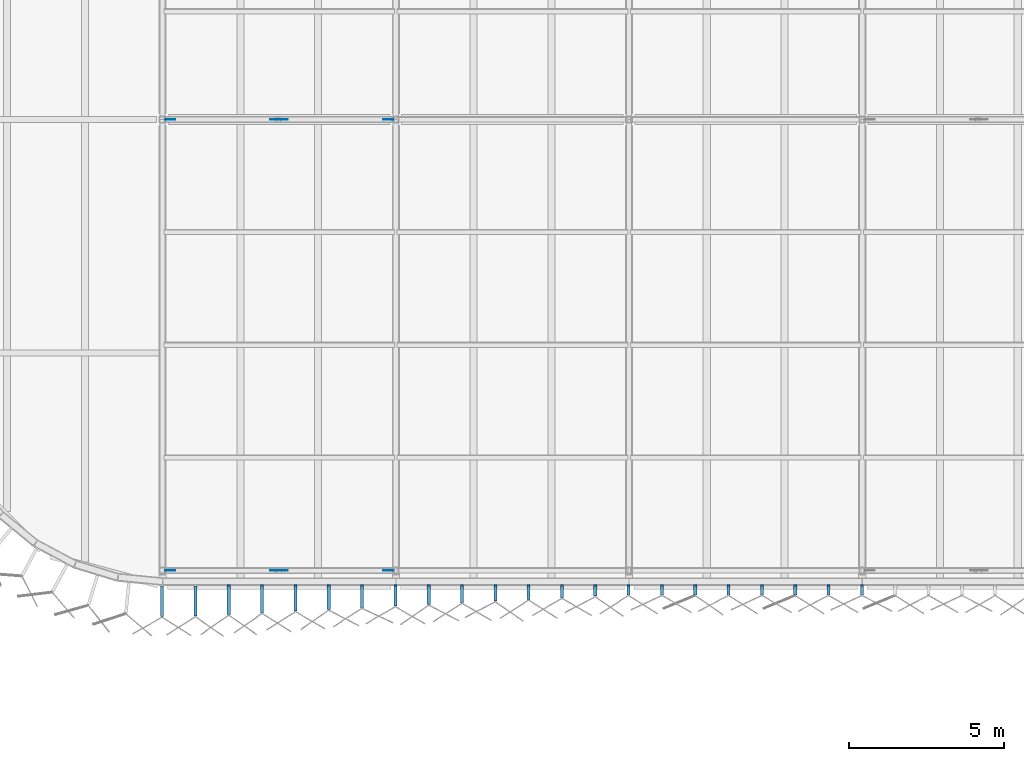
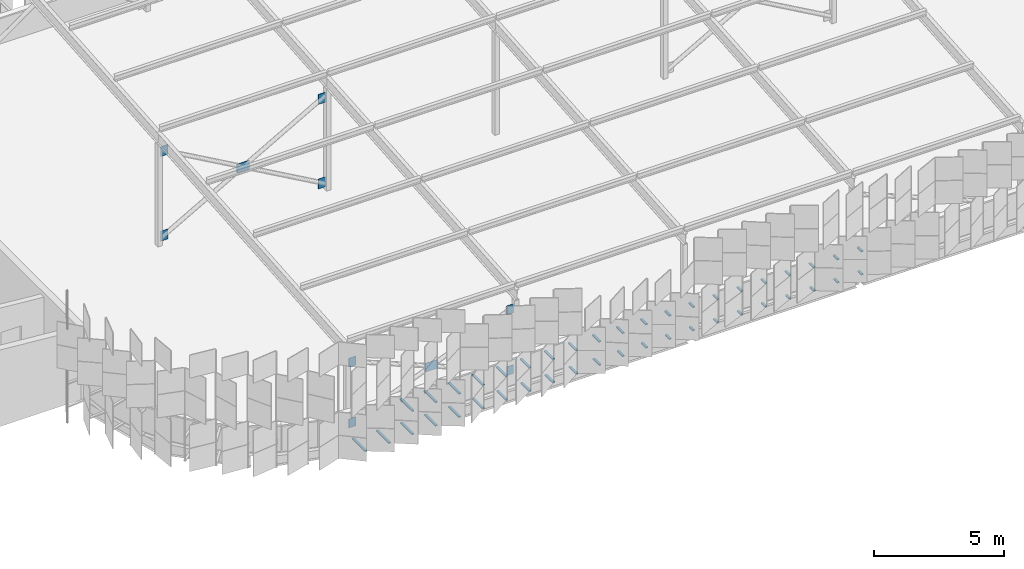
# One storey, part 435 of 483: 52 discrete accessories.
"""IFC4 building model written with IfcOpenShell, lengths in metres."""

from ifc_helpers import new_model, si_unit, direction, frame, origin, origin_2d, place, context, subcontext, project, spatial, polyline, rectangle, outline, extrude, material, layer, layer_set, type_object, element, save


model = new_model("IFC4")

# Units and contexts
model_context = context("Model", 3, precision=1e-05, world=origin(), true_north=direction((0.0, 1.0)))
body_context = subcontext(model_context, "Body", "Model", "MODEL_VIEW")
ifc_project = project(units=[si_unit("LENGTHUNIT", "METRE"), si_unit("AREAUNIT", "SQUARE_METRE"), si_unit("VOLUMEUNIT", "CUBIC_METRE"), si_unit("PLANEANGLEUNIT", "RADIAN"), si_unit("MASSUNIT", "GRAM", prefix="KILO")], contexts=[model_context])

# Site, building, storey
site_placement = place(None, origin())
site = spatial("IfcSite", under=ifc_project, at=site_placement, CompositionType="ELEMENT")
building_placement = place(site_placement, origin())
building = spatial("IfcBuilding", under=site, at=building_placement, Name="Parallax Yard Mobility Hub", CompositionType="ELEMENT")
storey_placement = place(building_placement, frame((0.0, 0.0, 13.199951171875)))
storey = spatial("IfcBuildingStorey", under=building, at=storey_placement, Name="L04", CompositionType="ELEMENT", Elevation=13.199951171875)

# Discrete accessories
ifc_material_1 = material(Name="Steel ASTM A36", Category="steel")
ifc_layer = layer(ifc_material_1, 0.011962890625)
ifc_layer_set = layer_set([ifc_layer], Name="Gusset plate PL12")
discrete_accessory_type_1 = type_object("IfcDiscreteAccessoryType", Name="Gusset plate PL12", PredefinedType="BRACKET", material=ifc_layer_set)
discrete_accessory_1_placement = place(storey_placement, frame((0.0, 0.0, 0.150146484375)))
element("IfcDiscreteAccessory", 1, at=discrete_accessory_1_placement, inside=storey, type_object=discrete_accessory_type_1, Name="Gusset plate PL12 RA bay N-A bay 1 foot on post N-A1", PredefinedType="BRACKET", context=body_context, shape_type="SweptSolid", body=[
    extrude(outline(polyline([(30.08154296875, 112.993896484375), (30.401611328125, 112.993896484375), (30.401611328125, 113.006103515625), (30.08154296875, 113.006103515625), (30.08154296875, 112.993896484375)])), origin(), (0.0, 0.0, 1.0), 0.42236328125),
])
for number, where, name in (
    (2, (0.0, 0.0, 3.017578125), "Gusset plate PL12 RA bay N-A bay 1 head on post N-A2"),
    (3, (0.0, 0.0, 0.150146484375), "Gusset plate PL12 RA bay N-A bay 1 foot on post N-A2"),
):
    element("IfcDiscreteAccessory", number, at=place(storey_placement, frame(where)), inside=storey, type_object=discrete_accessory_type_1, Name=name, PredefinedType="BRACKET", context=body_context, shape_type="SweptSolid", body=[
        extrude(outline(polyline([(37.41845703125, 113.006103515625), (37.098388671875, 113.006103515625), (37.098388671875, 112.993896484375), (37.41845703125, 112.993896484375), (37.41845703125, 113.006103515625)])), origin(), (0.0, 0.0, 1.0), 0.42236328125),
    ])
discrete_accessory_2_placement = place(storey_placement, frame((0.0, 0.0, 3.017578125)))
element("IfcDiscreteAccessory", 4, at=discrete_accessory_2_placement, inside=storey, type_object=discrete_accessory_type_1, Name="Gusset plate PL12 RA bay N-A bay 1 head on post N-A1", PredefinedType="BRACKET", context=body_context, shape_type="SweptSolid", body=[
    extrude(outline(polyline([(30.08154296875, 112.993896484375), (30.401611328125, 112.993896484375), (30.401611328125, 113.006103515625), (30.08154296875, 113.006103515625), (30.08154296875, 112.993896484375)])), origin(), (0.0, 0.0, 1.0), 0.42236328125),
])
discrete_accessory_3_placement = place(storey_placement, frame((0.0, 0.0, 1.5849609375)))
element("IfcDiscreteAccessory", 5, at=discrete_accessory_3_placement, inside=storey, type_object=discrete_accessory_type_1, Name="Gusset plate PL12 RA bay N-A bay 1 crossing node", PredefinedType="BRACKET", context=body_context, shape_type="SweptSolid", body=[
    extrude(outline(polyline([(33.469970703125, 112.993896484375), (34.030029296875, 112.993896484375), (34.030029296875, 113.006103515625), (33.469970703125, 113.006103515625), (33.469970703125, 112.993896484375)])), origin(), (0.0, 0.0, 1.0), 0.420166015625),
])
discrete_accessory_4_placement = place(storey_placement, frame((0.0, 0.0, 0.150146484375)))
element("IfcDiscreteAccessory", 6, at=discrete_accessory_4_placement, inside=storey, type_object=discrete_accessory_type_1, Name="Gusset plate PL12 RB bay N-A bay 1 foot on post N-A1", PredefinedType="BRACKET", context=body_context, shape_type="SweptSolid", body=[
    extrude(outline(polyline([(30.08154296875, 127.493896484375), (30.401611328125, 127.493896484375), (30.401611328125, 127.506103515625), (30.08154296875, 127.506103515625), (30.08154296875, 127.493896484375)])), origin(), (0.0, 0.0, 1.0), 0.4697265625),
])
discrete_accessory_5_placement = place(storey_placement, frame((0.0, 0.0, 4.130126953125)))
element("IfcDiscreteAccessory", 7, at=discrete_accessory_5_placement, inside=storey, type_object=discrete_accessory_type_1, Name="Gusset plate PL12 RB bay N-A bay 1 head on post N-A2", PredefinedType="BRACKET", context=body_context, shape_type="SweptSolid", body=[
    extrude(outline(polyline([(37.41845703125, 127.506103515625), (37.098388671875, 127.506103515625), (37.098388671875, 127.493896484375), (37.41845703125, 127.493896484375), (37.41845703125, 127.506103515625)])), origin(), (0.0, 0.0, 1.0), 0.469970703125),
])
discrete_accessory_6_placement = place(storey_placement, frame((0.0, 0.0, 0.150146484375)))
element("IfcDiscreteAccessory", 8, at=discrete_accessory_6_placement, inside=storey, type_object=discrete_accessory_type_1, Name="Gusset plate PL12 RB bay N-A bay 1 foot on post N-A2", PredefinedType="BRACKET", context=body_context, shape_type="SweptSolid", body=[
    extrude(outline(polyline([(37.41845703125, 127.506103515625), (37.098388671875, 127.506103515625), (37.098388671875, 127.493896484375), (37.41845703125, 127.493896484375), (37.41845703125, 127.506103515625)])), origin(), (0.0, 0.0, 1.0), 0.4697265625),
])
discrete_accessory_7_placement = place(storey_placement, frame((0.0, 0.0, 4.130126953125)))
element("IfcDiscreteAccessory", 9, at=discrete_accessory_7_placement, inside=storey, type_object=discrete_accessory_type_1, Name="Gusset plate PL12 RB bay N-A bay 1 head on post N-A1", PredefinedType="BRACKET", context=body_context, shape_type="SweptSolid", body=[
    extrude(outline(polyline([(30.08154296875, 127.493896484375), (30.401611328125, 127.493896484375), (30.401611328125, 127.506103515625), (30.08154296875, 127.506103515625), (30.08154296875, 127.493896484375)])), origin(), (0.0, 0.0, 1.0), 0.469970703125),
])
discrete_accessory_8_placement = place(storey_placement, frame((0.0, 0.0, 2.1650390625)))
element("IfcDiscreteAccessory", 10, at=discrete_accessory_8_placement, inside=storey, type_object=discrete_accessory_type_1, Name="Gusset plate PL12 RB bay N-A bay 1 crossing node", PredefinedType="BRACKET", context=body_context, shape_type="SweptSolid", body=[
    extrude(outline(polyline([(33.469970703125, 127.493896484375), (34.030029296875, 127.493896484375), (34.030029296875, 127.506103515625), (33.469970703125, 127.506103515625), (33.469970703125, 127.493896484375)])), origin(), (0.0, 0.0, 1.0), 0.419921875),
])
ifc_material_2 = material(Name="Steel ASTM A36, hot-dip galvanised", Category="steel")
discrete_accessory_type_2 = type_object("IfcDiscreteAccessoryType", Name="Hinge bracket plate 100x50", PredefinedType="BRACKET", material=ifc_material_2)
discrete_accessory_9_placement = place(storey_placement, frame((29.9853515625, 112.00830078125, -0.02490234375), z_axis=(0.0, 0.0, 1.0), x_axis=(0.0, -1.0, 0.0)))
element("IfcDiscreteAccessory", 11, at=discrete_accessory_9_placement, inside=storey, type_object=discrete_accessory_type_2, Name="Hinge bracket plate bay 1.1 level L04", PredefinedType="BRACKET", context=body_context, shape_type="SweptSolid", body=[
    extrude(rectangle(XDim=0.984130859375, YDim=0.10009765625, at=origin_2d()), origin(), (0.0, 0.0, 1.0), 0.050048828125),
])
discrete_accessory_10_placement = place(storey_placement, frame((31.056884765625, 112.0166015625, -0.02490234375), z_axis=(0.0, 0.0, 1.0), x_axis=(0.0, -1.0, 0.0)))
element("IfcDiscreteAccessory", 12, at=discrete_accessory_10_placement, inside=storey, type_object=discrete_accessory_type_2, Name="Hinge bracket plate bay 1.2 level L04", PredefinedType="BRACKET", context=body_context, shape_type="SweptSolid", body=[
    extrude(rectangle(XDim=0.968017578125, YDim=0.10009765625, at=origin_2d()), origin(), (0.0, 0.0, 1.0), 0.050048828125),
])
discrete_accessory_11_placement = place(storey_placement, frame((32.12841796875, 112.043212890625, -0.02490234375), z_axis=(0.0, 0.0, 1.0), x_axis=(0.0, -1.0, 0.0)))
element("IfcDiscreteAccessory", 13, at=discrete_accessory_11_placement, inside=storey, type_object=discrete_accessory_type_2, Name="Hinge bracket plate bay 1.3 level L04", PredefinedType="BRACKET", context=body_context, shape_type="SweptSolid", body=[
    extrude(rectangle(XDim=0.91455078125, YDim=0.10009765625, at=origin_2d()), origin(), (0.0, 0.0, 1.0), 0.050048828125),
])
discrete_accessory_12_placement = place(storey_placement, frame((32.12841796875, 112.066162109375, 1.06982421875), z_axis=(0.0, 0.0, 1.0), x_axis=(0.0, -1.0, 0.0)))
element("IfcDiscreteAccessory", 14, at=discrete_accessory_12_placement, inside=storey, type_object=discrete_accessory_type_2, Name="Hinge bracket plate bay 1.3 level L04", PredefinedType="BRACKET", context=body_context, shape_type="SweptSolid", body=[
    extrude(rectangle(XDim=0.96044921875, YDim=0.10009765625, at=origin_2d()), origin(), (0.0, 0.0, 1.0), 0.050048828125),
])
discrete_accessory_13_placement = place(storey_placement, frame((33.19970703125, 112.070068359375, -0.02490234375), z_axis=(0.0, 0.0, 1.0), x_axis=(0.0, -1.0, 0.0)))
element("IfcDiscreteAccessory", 15, at=discrete_accessory_13_placement, inside=storey, type_object=discrete_accessory_type_2, Name="Hinge bracket plate bay 1.4 level L04", PredefinedType="BRACKET", context=body_context, shape_type="SweptSolid", body=[
    extrude(rectangle(XDim=0.86083984375, YDim=0.10009765625, at=origin_2d()), origin(), (0.0, 0.0, 1.0), 0.050048828125),
])
discrete_accessory_14_placement = place(storey_placement, frame((33.19970703125, 112.093017578125, 1.06982421875), z_axis=(0.0, 0.0, 1.0), x_axis=(0.0, -1.0, 0.0)))
element("IfcDiscreteAccessory", 16, at=discrete_accessory_14_placement, inside=storey, type_object=discrete_accessory_type_2, Name="Hinge bracket plate bay 1.4 level L04", PredefinedType="BRACKET", context=body_context, shape_type="SweptSolid", body=[
    extrude(rectangle(XDim=0.906982421875, YDim=0.10009765625, at=origin_2d()), origin(), (0.0, 0.0, 1.0), 0.050048828125),
])
discrete_accessory_15_placement = place(storey_placement, frame((34.271240234375, 112.0966796875, -0.02490234375), z_axis=(0.0, 0.0, 1.0), x_axis=(0.0, -1.0, 0.0)))
element("IfcDiscreteAccessory", 17, at=discrete_accessory_15_placement, inside=storey, type_object=discrete_accessory_type_2, Name="Hinge bracket plate bay 1.5 level L04", PredefinedType="BRACKET", context=body_context, shape_type="SweptSolid", body=[
    extrude(rectangle(XDim=0.807373046875, YDim=0.10009765625, at=origin_2d()), origin(), (0.0, 0.0, 1.0), 0.050048828125),
])
discrete_accessory_16_placement = place(storey_placement, frame((34.271240234375, 112.119873046875, 1.06982421875), z_axis=(0.0, 0.0, 1.0), x_axis=(0.0, -1.0, 0.0)))
element("IfcDiscreteAccessory", 18, at=discrete_accessory_16_placement, inside=storey, type_object=discrete_accessory_type_2, Name="Hinge bracket plate bay 1.5 level L04", PredefinedType="BRACKET", context=body_context, shape_type="SweptSolid", body=[
    extrude(rectangle(XDim=0.853515625, YDim=0.10009765625, at=origin_2d()), origin(), (0.0, 0.0, 1.0), 0.050048828125),
])
discrete_accessory_17_placement = place(storey_placement, frame((35.3427734375, 112.12353515625, -0.02490234375), z_axis=(0.0, 0.0, 1.0), x_axis=(0.0, -1.0, 0.0)))
element("IfcDiscreteAccessory", 19, at=discrete_accessory_17_placement, inside=storey, type_object=discrete_accessory_type_2, Name="Hinge bracket plate bay 1.6 level L04", PredefinedType="BRACKET", context=body_context, shape_type="SweptSolid", body=[
    extrude(rectangle(XDim=0.75390625, YDim=0.10009765625, at=origin_2d()), origin(), (0.0, 0.0, 1.0), 0.050048828125),
])
discrete_accessory_18_placement = place(storey_placement, frame((35.3427734375, 112.146484375, 1.06982421875), z_axis=(0.0, 0.0, 1.0), x_axis=(0.0, -1.0, 0.0)))
element("IfcDiscreteAccessory", 20, at=discrete_accessory_18_placement, inside=storey, type_object=discrete_accessory_type_2, Name="Hinge bracket plate bay 1.6 level L04", PredefinedType="BRACKET", context=body_context, shape_type="SweptSolid", body=[
    extrude(rectangle(XDim=0.7998046875, YDim=0.10009765625, at=origin_2d()), origin(), (0.0, 0.0, 1.0), 0.050048828125),
])
discrete_accessory_19_placement = place(storey_placement, frame((36.414306640625, 112.150390625, -0.02490234375), z_axis=(0.0, 0.0, 1.0), x_axis=(0.0, -1.0, 0.0)))
element("IfcDiscreteAccessory", 21, at=discrete_accessory_19_placement, inside=storey, type_object=discrete_accessory_type_2, Name="Hinge bracket plate bay 1.7 level L04", PredefinedType="BRACKET", context=body_context, shape_type="SweptSolid", body=[
    extrude(rectangle(XDim=0.7001953125, YDim=0.10009765625, at=origin_2d()), origin(), (0.0, 0.0, 1.0), 0.050048828125),
])
discrete_accessory_20_placement = place(storey_placement, frame((36.414306640625, 112.17333984375, 1.06982421875), z_axis=(0.0, 0.0, 1.0), x_axis=(0.0, -1.0, 0.0)))
element("IfcDiscreteAccessory", 22, at=discrete_accessory_20_placement, inside=storey, type_object=discrete_accessory_type_2, Name="Hinge bracket plate bay 1.7 level L04", PredefinedType="BRACKET", context=body_context, shape_type="SweptSolid", body=[
    extrude(rectangle(XDim=0.74609375, YDim=0.10009765625, at=origin_2d()), origin(), (0.0, 0.0, 1.0), 0.050048828125),
])
discrete_accessory_21_placement = place(storey_placement, frame((37.48583984375, 112.17724609375, -0.02490234375), z_axis=(0.0, 0.0, 1.0), x_axis=(0.0, -1.0, 0.0)))
element("IfcDiscreteAccessory", 23, at=discrete_accessory_21_placement, inside=storey, type_object=discrete_accessory_type_2, Name="Hinge bracket plate bay 2.1 level L04", PredefinedType="BRACKET", context=body_context, shape_type="SweptSolid", body=[
    extrude(rectangle(XDim=0.646484375, YDim=0.10009765625, at=origin_2d()), origin(), (0.0, 0.0, 1.0), 0.050048828125),
])
discrete_accessory_22_placement = place(storey_placement, frame((37.48583984375, 112.2001953125, 1.06982421875), z_axis=(0.0, 0.0, 1.0), x_axis=(0.0, -1.0, 0.0)))
element("IfcDiscreteAccessory", 24, at=discrete_accessory_22_placement, inside=storey, type_object=discrete_accessory_type_2, Name="Hinge bracket plate bay 2.1 level L04", PredefinedType="BRACKET", context=body_context, shape_type="SweptSolid", body=[
    extrude(rectangle(XDim=0.692626953125, YDim=0.10009765625, at=origin_2d()), origin(), (0.0, 0.0, 1.0), 0.050048828125),
])
discrete_accessory_23_placement = place(storey_placement, frame((38.557373046875, 112.2041015625, -0.02490234375), z_axis=(0.0, 0.0, 1.0), x_axis=(0.0, -1.0, 0.0)))
element("IfcDiscreteAccessory", 25, at=discrete_accessory_23_placement, inside=storey, type_object=discrete_accessory_type_2, Name="Hinge bracket plate bay 2.2 level L04", PredefinedType="BRACKET", context=body_context, shape_type="SweptSolid", body=[
    extrude(rectangle(XDim=0.593017578125, YDim=0.10009765625, at=origin_2d()), origin(), (0.0, 0.0, 1.0), 0.050048828125),
])
discrete_accessory_24_placement = place(storey_placement, frame((38.557373046875, 112.22705078125, 1.06982421875), z_axis=(0.0, 0.0, 1.0), x_axis=(0.0, -1.0, 0.0)))
element("IfcDiscreteAccessory", 26, at=discrete_accessory_24_placement, inside=storey, type_object=discrete_accessory_type_2, Name="Hinge bracket plate bay 2.2 level L04", PredefinedType="BRACKET", context=body_context, shape_type="SweptSolid", body=[
    extrude(rectangle(XDim=0.63916015625, YDim=0.10009765625, at=origin_2d()), origin(), (0.0, 0.0, 1.0), 0.050048828125),
])
discrete_accessory_25_placement = place(storey_placement, frame((39.62890625, 112.230712890625, -0.02490234375), z_axis=(0.0, 0.0, 1.0), x_axis=(0.0, -1.0, 0.0)))
element("IfcDiscreteAccessory", 27, at=discrete_accessory_25_placement, inside=storey, type_object=discrete_accessory_type_2, Name="Hinge bracket plate bay 2.3 level L04", PredefinedType="BRACKET", context=body_context, shape_type="SweptSolid", body=[
    extrude(rectangle(XDim=0.53955078125, YDim=0.10009765625, at=origin_2d()), origin(), (0.0, 0.0, 1.0), 0.050048828125),
])
discrete_accessory_26_placement = place(storey_placement, frame((39.62890625, 112.253662109375, 1.06982421875), z_axis=(0.0, 0.0, 1.0), x_axis=(0.0, -1.0, 0.0)))
element("IfcDiscreteAccessory", 28, at=discrete_accessory_26_placement, inside=storey, type_object=discrete_accessory_type_2, Name="Hinge bracket plate bay 2.3 level L04", PredefinedType="BRACKET", context=body_context, shape_type="SweptSolid", body=[
    extrude(rectangle(XDim=0.58544921875, YDim=0.10009765625, at=origin_2d()), origin(), (0.0, 0.0, 1.0), 0.050048828125),
])
discrete_accessory_27_placement = place(storey_placement, frame((40.7001953125, 112.257568359375, -0.02490234375), z_axis=(0.0, 0.0, 1.0), x_axis=(0.0, -1.0, 0.0)))
element("IfcDiscreteAccessory", 29, at=discrete_accessory_27_placement, inside=storey, type_object=discrete_accessory_type_2, Name="Hinge bracket plate bay 2.4 level L04", PredefinedType="BRACKET", context=body_context, shape_type="SweptSolid", body=[
    extrude(rectangle(XDim=0.48583984375, YDim=0.10009765625, at=origin_2d()), origin(), (0.0, 0.0, 1.0), 0.050048828125),
])
discrete_accessory_28_placement = place(storey_placement, frame((40.7001953125, 112.280517578125, 1.06982421875), z_axis=(0.0, 0.0, 1.0), x_axis=(0.0, -1.0, 0.0)))
element("IfcDiscreteAccessory", 30, at=discrete_accessory_28_placement, inside=storey, type_object=discrete_accessory_type_2, Name="Hinge bracket plate bay 2.4 level L04", PredefinedType="BRACKET", context=body_context, shape_type="SweptSolid", body=[
    extrude(rectangle(XDim=0.531982421875, YDim=0.10009765625, at=origin_2d()), origin(), (0.0, 0.0, 1.0), 0.050048828125),
])
discrete_accessory_29_placement = place(storey_placement, frame((41.771728515625, 112.2841796875, -0.02490234375), z_axis=(0.0, 0.0, 1.0), x_axis=(0.0, -1.0, 0.0)))
element("IfcDiscreteAccessory", 31, at=discrete_accessory_29_placement, inside=storey, type_object=discrete_accessory_type_2, Name="Hinge bracket plate bay 2.5 level L04", PredefinedType="BRACKET", context=body_context, shape_type="SweptSolid", body=[
    extrude(rectangle(XDim=0.432373046875, YDim=0.10009765625, at=origin_2d()), origin(), (0.0, 0.0, 1.0), 0.050048828125),
])
discrete_accessory_30_placement = place(storey_placement, frame((41.771728515625, 112.307373046875, 1.06982421875), z_axis=(0.0, 0.0, 1.0), x_axis=(0.0, -1.0, 0.0)))
element("IfcDiscreteAccessory", 32, at=discrete_accessory_30_placement, inside=storey, type_object=discrete_accessory_type_2, Name="Hinge bracket plate bay 2.5 level L04", PredefinedType="BRACKET", context=body_context, shape_type="SweptSolid", body=[
    extrude(rectangle(XDim=0.478515625, YDim=0.10009765625, at=origin_2d()), origin(), (0.0, 0.0, 1.0), 0.050048828125),
])
discrete_accessory_31_placement = place(storey_placement, frame((42.84326171875, 112.31103515625, -0.02490234375), z_axis=(0.0, 0.0, 1.0), x_axis=(0.0, -1.0, 0.0)))
element("IfcDiscreteAccessory", 33, at=discrete_accessory_31_placement, inside=storey, type_object=discrete_accessory_type_2, Name="Hinge bracket plate bay 2.6 level L04", PredefinedType="BRACKET", context=body_context, shape_type="SweptSolid", body=[
    extrude(rectangle(XDim=0.37890625, YDim=0.10009765625, at=origin_2d()), origin(), (0.0, 0.0, 1.0), 0.050048828125),
])
discrete_accessory_32_placement = place(storey_placement, frame((42.84326171875, 112.333984375, 1.06982421875), z_axis=(0.0, 0.0, 1.0), x_axis=(0.0, -1.0, 0.0)))
element("IfcDiscreteAccessory", 34, at=discrete_accessory_32_placement, inside=storey, type_object=discrete_accessory_type_2, Name="Hinge bracket plate bay 2.6 level L04", PredefinedType="BRACKET", context=body_context, shape_type="SweptSolid", body=[
    extrude(rectangle(XDim=0.4248046875, YDim=0.10009765625, at=origin_2d()), origin(), (0.0, 0.0, 1.0), 0.050048828125),
])
discrete_accessory_33_placement = place(storey_placement, frame((43.914794921875, 112.337890625, -0.02490234375), z_axis=(0.0, 0.0, 1.0), x_axis=(0.0, -1.0, 0.0)))
element("IfcDiscreteAccessory", 35, at=discrete_accessory_33_placement, inside=storey, type_object=discrete_accessory_type_2, Name="Hinge bracket plate bay 2.7 level L04", PredefinedType="BRACKET", context=body_context, shape_type="SweptSolid", body=[
    extrude(rectangle(XDim=0.3251953125, YDim=0.10009765625, at=origin_2d()), origin(), (0.0, 0.0, 1.0), 0.050048828125),
])
discrete_accessory_34_placement = place(storey_placement, frame((43.914794921875, 112.36083984375, 1.06982421875), z_axis=(0.0, 0.0, 1.0), x_axis=(0.0, -1.0, 0.0)))
element("IfcDiscreteAccessory", 36, at=discrete_accessory_34_placement, inside=storey, type_object=discrete_accessory_type_2, Name="Hinge bracket plate bay 2.7 level L04", PredefinedType="BRACKET", context=body_context, shape_type="SweptSolid", body=[
    extrude(rectangle(XDim=0.37109375, YDim=0.10009765625, at=origin_2d()), origin(), (0.0, 0.0, 1.0), 0.050048828125),
])
discrete_accessory_35_placement = place(storey_placement, frame((44.986328125, 112.3583984375, -0.02490234375), z_axis=(0.0, 0.0, 1.0), x_axis=(0.0, -1.0, 0.0)))
element("IfcDiscreteAccessory", 37, at=discrete_accessory_35_placement, inside=storey, type_object=discrete_accessory_type_2, Name="Hinge bracket plate bay 3.1 level L04", PredefinedType="BRACKET", context=body_context, shape_type="SweptSolid", body=[
    extrude(rectangle(XDim=0.2841796875, YDim=0.10009765625, at=origin_2d()), origin(), (0.0, 0.0, 1.0), 0.050048828125),
])
discrete_accessory_36_placement = place(storey_placement, frame((44.986328125, 112.38134765625, 1.06982421875), z_axis=(0.0, 0.0, 1.0), x_axis=(0.0, -1.0, 0.0)))
element("IfcDiscreteAccessory", 38, at=discrete_accessory_36_placement, inside=storey, type_object=discrete_accessory_type_2, Name="Hinge bracket plate bay 3.1 level L04", PredefinedType="BRACKET", context=body_context, shape_type="SweptSolid", body=[
    extrude(rectangle(XDim=0.330078125, YDim=0.10009765625, at=origin_2d()), origin(), (0.0, 0.0, 1.0), 0.050048828125),
])
discrete_accessory_37_placement = place(storey_placement, frame((46.057861328125, 112.3583984375, -0.02490234375), z_axis=(0.0, 0.0, 1.0), x_axis=(0.0, -1.0, 0.0)))
element("IfcDiscreteAccessory", 39, at=discrete_accessory_37_placement, inside=storey, type_object=discrete_accessory_type_2, Name="Hinge bracket plate bay 3.2 level L04", PredefinedType="BRACKET", context=body_context, shape_type="SweptSolid", body=[
    extrude(rectangle(XDim=0.2841796875, YDim=0.10009765625, at=origin_2d()), origin(), (0.0, 0.0, 1.0), 0.050048828125),
])
discrete_accessory_38_placement = place(storey_placement, frame((46.057861328125, 112.38134765625, 1.06982421875), z_axis=(0.0, 0.0, 1.0), x_axis=(0.0, -1.0, 0.0)))
element("IfcDiscreteAccessory", 40, at=discrete_accessory_38_placement, inside=storey, type_object=discrete_accessory_type_2, Name="Hinge bracket plate bay 3.2 level L04", PredefinedType="BRACKET", context=body_context, shape_type="SweptSolid", body=[
    extrude(rectangle(XDim=0.330078125, YDim=0.10009765625, at=origin_2d()), origin(), (0.0, 0.0, 1.0), 0.050048828125),
])
discrete_accessory_39_placement = place(storey_placement, frame((47.12939453125, 112.3583984375, -0.02490234375), z_axis=(0.0, 0.0, 1.0), x_axis=(0.0, -1.0, 0.0)))
element("IfcDiscreteAccessory", 41, at=discrete_accessory_39_placement, inside=storey, type_object=discrete_accessory_type_2, Name="Hinge bracket plate bay 3.3 level L04", PredefinedType="BRACKET", context=body_context, shape_type="SweptSolid", body=[
    extrude(rectangle(XDim=0.2841796875, YDim=0.10009765625, at=origin_2d()), origin(), (0.0, 0.0, 1.0), 0.050048828125),
])
discrete_accessory_40_placement = place(storey_placement, frame((47.12939453125, 112.38134765625, 1.06982421875), z_axis=(0.0, 0.0, 1.0), x_axis=(0.0, -1.0, 0.0)))
element("IfcDiscreteAccessory", 42, at=discrete_accessory_40_placement, inside=storey, type_object=discrete_accessory_type_2, Name="Hinge bracket plate bay 3.3 level L04", PredefinedType="BRACKET", context=body_context, shape_type="SweptSolid", body=[
    extrude(rectangle(XDim=0.330078125, YDim=0.10009765625, at=origin_2d()), origin(), (0.0, 0.0, 1.0), 0.050048828125),
])
discrete_accessory_41_placement = place(storey_placement, frame((48.20068359375, 112.3583984375, -0.02490234375), z_axis=(0.0, 0.0, 1.0), x_axis=(0.0, -1.0, 0.0)))
element("IfcDiscreteAccessory", 43, at=discrete_accessory_41_placement, inside=storey, type_object=discrete_accessory_type_2, Name="Hinge bracket plate bay 3.4 level L04", PredefinedType="BRACKET", context=body_context, shape_type="SweptSolid", body=[
    extrude(rectangle(XDim=0.2841796875, YDim=0.10009765625, at=origin_2d()), origin(), (0.0, 0.0, 1.0), 0.050048828125),
])
discrete_accessory_42_placement = place(storey_placement, frame((48.20068359375, 112.38134765625, 1.06982421875), z_axis=(0.0, 0.0, 1.0), x_axis=(0.0, -1.0, 0.0)))
element("IfcDiscreteAccessory", 44, at=discrete_accessory_42_placement, inside=storey, type_object=discrete_accessory_type_2, Name="Hinge bracket plate bay 3.4 level L04", PredefinedType="BRACKET", context=body_context, shape_type="SweptSolid", body=[
    extrude(rectangle(XDim=0.330078125, YDim=0.10009765625, at=origin_2d()), origin(), (0.0, 0.0, 1.0), 0.050048828125),
])
discrete_accessory_43_placement = place(storey_placement, frame((49.272216796875, 112.3583984375, -0.02490234375), z_axis=(0.0, 0.0, 1.0), x_axis=(0.0, -1.0, 0.0)))
element("IfcDiscreteAccessory", 45, at=discrete_accessory_43_placement, inside=storey, type_object=discrete_accessory_type_2, Name="Hinge bracket plate bay 3.5 level L04", PredefinedType="BRACKET", context=body_context, shape_type="SweptSolid", body=[
    extrude(rectangle(XDim=0.2841796875, YDim=0.10009765625, at=origin_2d()), origin(), (0.0, 0.0, 1.0), 0.050048828125),
])
discrete_accessory_44_placement = place(storey_placement, frame((49.272216796875, 112.38134765625, 1.06982421875), z_axis=(0.0, 0.0, 1.0), x_axis=(0.0, -1.0, 0.0)))
element("IfcDiscreteAccessory", 46, at=discrete_accessory_44_placement, inside=storey, type_object=discrete_accessory_type_2, Name="Hinge bracket plate bay 3.5 level L04", PredefinedType="BRACKET", context=body_context, shape_type="SweptSolid", body=[
    extrude(rectangle(XDim=0.330078125, YDim=0.10009765625, at=origin_2d()), origin(), (0.0, 0.0, 1.0), 0.050048828125),
])
discrete_accessory_45_placement = place(storey_placement, frame((50.34375, 112.3583984375, -0.02490234375), z_axis=(0.0, 0.0, 1.0), x_axis=(0.0, -1.0, 0.0)))
element("IfcDiscreteAccessory", 47, at=discrete_accessory_45_placement, inside=storey, type_object=discrete_accessory_type_2, Name="Hinge bracket plate bay 3.6 level L04", PredefinedType="BRACKET", context=body_context, shape_type="SweptSolid", body=[
    extrude(rectangle(XDim=0.2841796875, YDim=0.10009765625, at=origin_2d()), origin(), (0.0, 0.0, 1.0), 0.050048828125),
])
discrete_accessory_46_placement = place(storey_placement, frame((50.34375, 112.38134765625, 1.06982421875), z_axis=(0.0, 0.0, 1.0), x_axis=(0.0, -1.0, 0.0)))
element("IfcDiscreteAccessory", 48, at=discrete_accessory_46_placement, inside=storey, type_object=discrete_accessory_type_2, Name="Hinge bracket plate bay 3.6 level L04", PredefinedType="BRACKET", context=body_context, shape_type="SweptSolid", body=[
    extrude(rectangle(XDim=0.330078125, YDim=0.10009765625, at=origin_2d()), origin(), (0.0, 0.0, 1.0), 0.050048828125),
])
discrete_accessory_47_placement = place(storey_placement, frame((51.415283203125, 112.3583984375, -0.02490234375), z_axis=(0.0, 0.0, 1.0), x_axis=(0.0, -1.0, 0.0)))
element("IfcDiscreteAccessory", 49, at=discrete_accessory_47_placement, inside=storey, type_object=discrete_accessory_type_2, Name="Hinge bracket plate bay 3.7 level L04", PredefinedType="BRACKET", context=body_context, shape_type="SweptSolid", body=[
    extrude(rectangle(XDim=0.2841796875, YDim=0.10009765625, at=origin_2d()), origin(), (0.0, 0.0, 1.0), 0.050048828125),
])
discrete_accessory_48_placement = place(storey_placement, frame((51.415283203125, 112.38134765625, 1.06982421875), z_axis=(0.0, 0.0, 1.0), x_axis=(0.0, -1.0, 0.0)))
element("IfcDiscreteAccessory", 50, at=discrete_accessory_48_placement, inside=storey, type_object=discrete_accessory_type_2, Name="Hinge bracket plate bay 3.7 level L04", PredefinedType="BRACKET", context=body_context, shape_type="SweptSolid", body=[
    extrude(rectangle(XDim=0.330078125, YDim=0.10009765625, at=origin_2d()), origin(), (0.0, 0.0, 1.0), 0.050048828125),
])
discrete_accessory_49_placement = place(storey_placement, frame((52.48681640625, 112.3583984375, -0.02490234375), z_axis=(0.0, 0.0, 1.0), x_axis=(0.0, -1.0, 0.0)))
element("IfcDiscreteAccessory", 51, at=discrete_accessory_49_placement, inside=storey, type_object=discrete_accessory_type_2, Name="Hinge bracket plate bay 4.1 level L04", PredefinedType="BRACKET", context=body_context, shape_type="SweptSolid", body=[
    extrude(rectangle(XDim=0.2841796875, YDim=0.10009765625, at=origin_2d()), origin(), (0.0, 0.0, 1.0), 0.050048828125),
])
discrete_accessory_50_placement = place(storey_placement, frame((52.48681640625, 112.38134765625, 1.06982421875), z_axis=(0.0, 0.0, 1.0), x_axis=(0.0, -1.0, 0.0)))
element("IfcDiscreteAccessory", 52, at=discrete_accessory_50_placement, inside=storey, type_object=discrete_accessory_type_2, Name="Hinge bracket plate bay 4.1 level L04", PredefinedType="BRACKET", context=body_context, shape_type="SweptSolid", body=[
    extrude(rectangle(XDim=0.330078125, YDim=0.10009765625, at=origin_2d()), origin(), (0.0, 0.0, 1.0), 0.050048828125),
])

save(model, "model.ifc")
